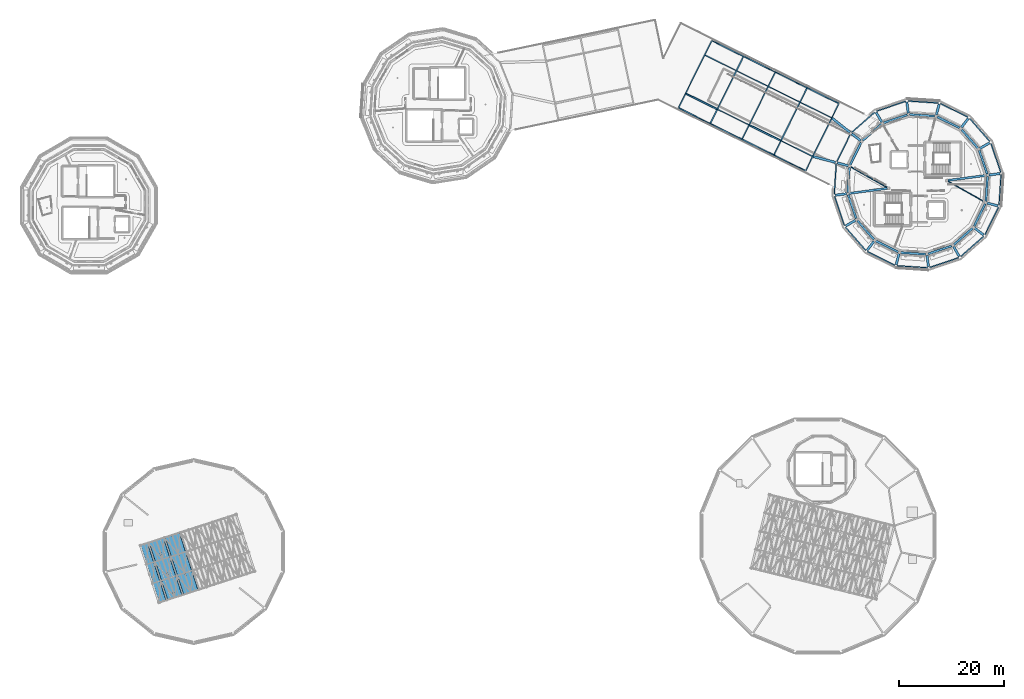
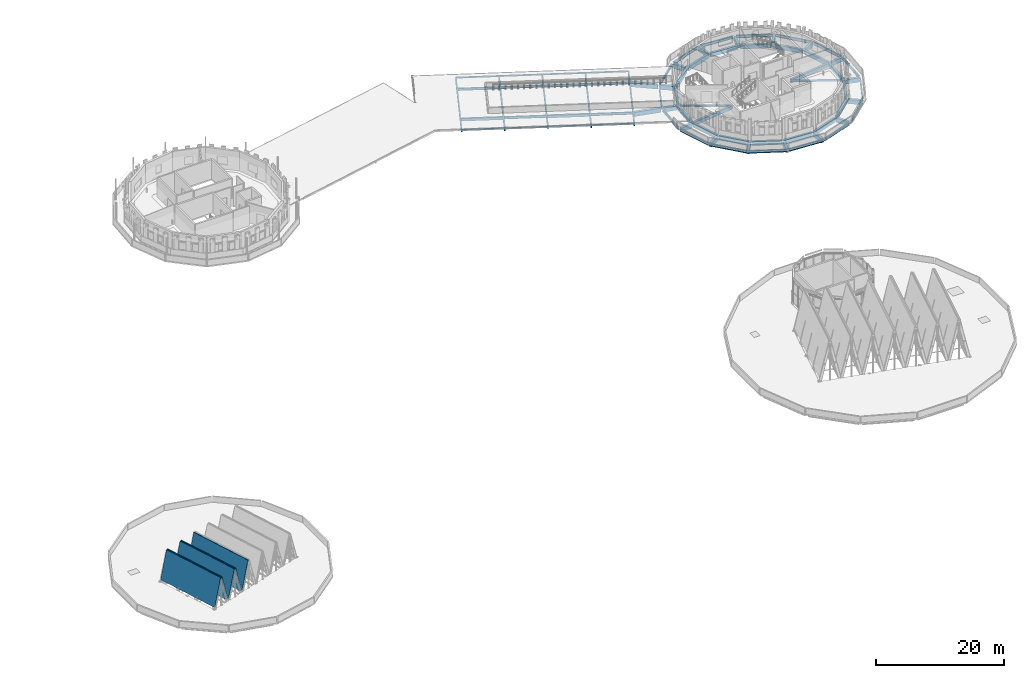
# One storey, part 17 of 51: 75 beams, 5 slabs.
"""IFC4 building model written with IfcOpenShell, lengths in metres."""

from ifc_helpers import new_model, si_unit, direction, frame, origin, origin_2d, place, context, subcontext, project, spatial, polyline, rectangle, hollow_rectangle, i_section, outline, extrude, material, layer, layer_set, material_profile, profile_set, type_object, element, save


model = new_model("IFC4")

# Units and contexts
model_context = context("Model", 3, precision=1e-05, world=origin(), true_north=direction((0.0, 1.0)))
body_context = subcontext(model_context, "Body", "Model", "MODEL_VIEW")
ifc_project = project(units=[si_unit("LENGTHUNIT", "METRE"), si_unit("AREAUNIT", "SQUARE_METRE"), si_unit("VOLUMEUNIT", "CUBIC_METRE"), si_unit("PLANEANGLEUNIT", "RADIAN"), si_unit("MASSUNIT", "GRAM", prefix="KILO")], contexts=[model_context])

# Site, building, storey
site_placement = place(None, origin())
site = spatial("IfcSite", under=ifc_project, at=site_placement, CompositionType="ELEMENT")
building_placement = place(site_placement, origin())
building = spatial("IfcBuilding", under=site, at=building_placement, Name="Wrenclough Park School", CompositionType="ELEMENT")
storey_placement = place(building_placement, frame((0.0, 0.0, 16.800048828125)))
storey = spatial("IfcBuildingStorey", under=building, at=storey_placement, Name="L04", CompositionType="ELEMENT", Elevation=16.800048828125)

# Beams
ifc_material_1 = material(Name="Concrete C32/40", Category="concrete")
ifc_material_profile_1 = material_profile(ifc_material_1, rectangle(XDim=0.300048828125, YDim=0.5, at=origin_2d()), Name="RC BEAM 300x500")
ifc_profile_set_1 = profile_set([ifc_material_profile_1], Name="Concrete C32/40")
beam_type_1 = type_object("IfcBeamType", Name="STR-BM-RC300", PredefinedType="BEAM", material=ifc_profile_set_1)
for number, where, z_axis, x_axis, name in (
    (1, (130.33837890625, 110.77880859375, -0.47509765625), (0.896252415809, -0.443544368871, 0.0), (0.443544368871, 0.896252415809, 0.0), "W45 L04 longitudinal edge beam R1"),
    (2, (142.46337890625, 104.77880859375, -0.47509765625), (0.896252415809, -0.443544368871, 0.0), (0.443544368871, 0.896252415809, 0.0), "W45 L04 longitudinal edge beam R3"),
):
    element("IfcBeam", number, at=place(storey_placement, frame(where, z_axis=z_axis, x_axis=x_axis)), inside=storey, type_object=beam_type_1, Name=name, PredefinedType="BEAM", context=body_context, shape_type="SweptSolid", body=[
        extrude(rectangle(XDim=0.300048828125, YDim=0.5, at=origin_2d()), origin(), (0.0, 0.0, 1.0), 6.553955078125),
    ])
ifc_material_2 = material(Name="Concrete C35/45", Category="concrete")
ifc_material_profile_2 = material_profile(ifc_material_2, rectangle(XDim=0.39990234375, YDim=0.64990234375, at=origin_2d()), Name="RC BEAM 400x650")
ifc_profile_set_2 = profile_set([ifc_material_profile_2], Name="Concrete C35/45")
beam_type_2 = type_object("IfcBeamType", Name="STR-BM-RC400A", PredefinedType="BEAM", material=ifc_profile_set_2)
for number, where, z_axis, x_axis, name in (
    (3, (187.596923828125, 95.224365234375, -0.590087890625), (-0.99144057881, -0.130558717399, 0.0), (0.130558717399, -0.99144057881, 0.0), "D5 L04 inner radial beam 1"),
    (4, (161.403076171875, 91.775634765625, -0.590087890625), (0.99144057881, 0.130558717399, 0.0), (-0.130558717399, 0.99144057881, 0.0), "D5 L04 inner radial beam 5"),
):
    element("IfcBeam", number, at=place(storey_placement, frame(where, z_axis=z_axis, x_axis=x_axis)), inside=storey, type_object=beam_type_2, Name=name, PredefinedType="BEAM", context=body_context, shape_type="SweptSolid", body=[
        extrude(rectangle(XDim=0.39990234375, YDim=0.64990234375, at=origin_2d()), origin(), (0.0, 0.0, 1.0), 7.393798828125),
    ])
ifc_material_profile_3 = material_profile(ifc_material_2, rectangle(XDim=0.39990234375, YDim=0.75, at=origin_2d()), Name="RC BEAM 400x750")
ifc_profile_set_3 = profile_set([ifc_material_profile_3], Name="Concrete C35/45")
beam_type_3 = type_object("IfcBeamType", Name="STR-BM-RC400B", PredefinedType="BEAM", material=ifc_profile_set_3)
for number, where, z_axis, x_axis, name in (
    (5, (187.7578125, 95.48291015625, -0.64013671875), (-0.321461154468, 0.946922766739, 0.0), (-0.946922766739, -0.321461154468, 0.0), "D5 L04 middle ring beam 1"),
    (6, (185.98974609375, 100.405517578125, -0.64013671875), (-0.659356078342, 0.751830806733, 0.0), (-0.751830806733, -0.659356078342, 0.0), "D5 L04 middle ring beam 2"),
    (7, (182.47265625, 104.276611328125, -0.64013671875), (-0.896871427047, 0.442291355722, 0.0), (-0.442291355722, -0.896871427047, 0.0), "D5 L04 middle ring beam 3"),
    (8, (177.74169921875, 106.50732421875, -0.64013671875), (-0.997859962399, 0.065387272782, 0.0), (-0.065387272782, -0.997859962399, 0.0), "D5 L04 middle ring beam 4"),
    (9, (172.51708984375, 106.7578125, -0.64013671875), (-0.946922766739, -0.321461154468, 0.0), (0.321461154468, -0.946922766739, 0.0), "D5 L04 middle ring beam 5"),
    (10, (167.594482421875, 104.98974609375, -0.64013671875), (-0.751830806733, -0.659356078342, 0.0), (0.659356078342, -0.751830806733, 0.0), "D5 L04 middle ring beam 6"),
    (11, (163.723388671875, 101.47265625, -0.64013671875), (-0.442291355722, -0.896871427047, 0.0), (0.896871427047, -0.442291355722, 0.0), "D5 L04 middle ring beam 7"),
    (12, (161.49267578125, 96.74169921875, -0.64013671875), (-0.065387272782, -0.997859962399, 0.0), (0.997859962399, -0.065387272782, 0.0), "D5 L04 middle ring beam 8"),
    (13, (161.2421875, 91.51708984375, -0.64013671875), (0.321461154468, -0.946922766739, 0.0), (0.946922766739, 0.321461154468, 0.0), "D5 L04 middle ring beam 9"),
    (14, (163.01025390625, 86.594482421875, -0.64013671875), (0.659356078342, -0.751830806733, 0.0), (0.751830806733, 0.659356078342, 0.0), "D5 L04 middle ring beam 10"),
    (15, (166.52734375, 82.723388671875, -0.64013671875), (0.896871427047, -0.442291355722, 0.0), (0.442291355722, 0.896871427047, 0.0), "D5 L04 middle ring beam 11"),
    (16, (171.25830078125, 80.49267578125, -0.64013671875), (0.997859962399, -0.065387272782, 0.0), (0.065387272782, 0.997859962399, 0.0), "D5 L04 middle ring beam 12"),
    (17, (176.48291015625, 80.2421875, -0.64013671875), (0.946922766739, 0.321461154468, 0.0), (-0.321461154468, 0.946922766739, 0.0), "D5 L04 middle ring beam 13"),
    (18, (181.405517578125, 82.01025390625, -0.64013671875), (0.751830806733, 0.659356078342, 0.0), (-0.659356078342, 0.751830806733, 0.0), "D5 L04 middle ring beam 14"),
    (19, (185.276611328125, 85.52734375, -0.64013671875), (0.442291355722, 0.896871427047, 0.0), (-0.896871427047, 0.442291355722, 0.0), "D5 L04 middle ring beam 15"),
    (20, (187.50732421875, 90.25830078125, -0.64013671875), (0.065387272782, 0.997859962399, 0.0), (-0.997859962399, 0.065387272782, 0.0), "D5 L04 middle ring beam 16"),
):
    element("IfcBeam", number, at=place(storey_placement, frame(where, z_axis=z_axis, x_axis=x_axis)), inside=storey, type_object=beam_type_3, Name=name, PredefinedType="BEAM", context=body_context, shape_type="SweptSolid", body=[
        extrude(rectangle(XDim=0.39990234375, YDim=0.75, at=origin_2d()), origin(), (0.0, 0.0, 1.0), 4.76806640625),
    ])
ifc_material_3 = material(Name="Concrete C40/50", Category="concrete")
ifc_material_profile_4 = material_profile(ifc_material_3, rectangle(XDim=0.449951171875, YDim=0.800048828125, at=origin_2d()), Name="RC BEAM 450x800")
ifc_profile_set_4 = profile_set([ifc_material_profile_4], Name="Concrete C40/50")
beam_type_4 = type_object("IfcBeamType", Name="STR-BM-RC450", PredefinedType="BEAM", material=ifc_profile_set_4)
for number, where, z_axis, x_axis, name in (
    (21, (190.198486328125, 95.566650390625, -0.6650390625), (-0.991449256393, -0.13049280439, 0.0), (0.13049280439, -0.991449256393, 0.0), "D5 L04 radial girder 1"),
    (22, (188.212646484375, 101.4169921875, -0.6650390625), (-0.866041483742, -0.499972147661, 0.0), (0.499972147661, -0.866041483742, 0.0), "D5 L04 radial girder 2"),
    (23, (184.13916015625, 106.06201171875, -0.6650390625), (-0.608763785225, -0.793351532297, 0.0), (0.793351532297, -0.608763785225, 0.0), "D5 L04 radial girder 3"),
    (24, (178.59814453125, 108.79443359375, -0.6650390625), (-0.258817664066, -0.965926196336, 0.0), (0.965926196336, -0.258817664066, 0.0), "D5 L04 radial girder 4"),
    (25, (172.433349609375, 109.198486328125, -0.6650390625), (0.13049280439, -0.991449256393, 0.0), (0.991449256393, 0.13049280439, 0.0), "D5 L04 radial girder 5"),
    (26, (166.5830078125, 107.212646484375, -0.6650390625), (0.499972147661, -0.866041483742, 0.0), (0.866041483742, 0.499972147661, 0.0), "D5 L04 radial girder 6"),
    (27, (161.93798828125, 103.13916015625, -0.6650390625), (0.793351532297, -0.608763785225, 0.0), (0.608763785225, 0.793351532297, 0.0), "D5 L04 radial girder 7"),
    (28, (159.20556640625, 97.59814453125, -0.6650390625), (0.965926196336, -0.258817664066, 0.0), (0.258817664066, 0.965926196336, 0.0), "D5 L04 radial girder 8"),
    (29, (158.801513671875, 91.433349609375, -0.6650390625), (0.991449256393, 0.13049280439, 0.0), (-0.13049280439, 0.991449256393, 0.0), "D5 L04 radial girder 9"),
    (30, (160.787353515625, 85.5830078125, -0.6650390625), (0.866041483742, 0.499972147661, 0.0), (-0.499972147661, 0.866041483742, 0.0), "D5 L04 radial girder 10"),
    (31, (164.86083984375, 80.93798828125, -0.6650390625), (0.608763785225, 0.793351532297, 0.0), (-0.793351532297, 0.608763785225, 0.0), "D5 L04 radial girder 11"),
    (32, (170.40185546875, 78.20556640625, -0.6650390625), (0.258817664066, 0.965926196336, 0.0), (-0.965926196336, 0.258817664066, 0.0), "D5 L04 radial girder 12"),
    (33, (176.566650390625, 77.801513671875, -0.6650390625), (-0.13049280439, 0.991449256393, 0.0), (-0.991449256393, -0.13049280439, 0.0), "D5 L04 radial girder 13"),
    (34, (182.4169921875, 79.787353515625, -0.6650390625), (-0.499972147661, 0.866041483742, 0.0), (-0.866041483742, -0.499972147661, 0.0), "D5 L04 radial girder 14"),
    (35, (187.06201171875, 83.86083984375, -0.6650390625), (-0.793351532297, 0.608763785225, 0.0), (-0.608763785225, -0.793351532297, 0.0), "D5 L04 radial girder 15"),
    (36, (189.79443359375, 89.40185546875, -0.6650390625), (-0.965926196336, 0.258817664066, 0.0), (-0.258817664066, -0.965926196336, 0.0), "D5 L04 radial girder 16"),
):
    element("IfcBeam", number, at=place(storey_placement, frame(where, z_axis=z_axis, x_axis=x_axis)), inside=storey, type_object=beam_type_4, Name=name, PredefinedType="BEAM", context=body_context, shape_type="SweptSolid", body=[
        extrude(rectangle(XDim=0.449951171875, YDim=0.800048828125, at=origin_2d()), origin(), (0.0, 0.0, 1.0), 2.14404296875),
    ])
beam_1_placement = place(storey_placement, frame((158.213134765625, 106.109130859375, -0.630126953125), z_axis=(0.781341439555, -0.62410380133, 0.0), x_axis=(0.62410380133, 0.781341439555, 0.0)))
element("IfcBeam", 37, at=beam_1_placement, inside=storey, type_object=beam_type_4, Name="W45 L04 drum junction tie beam 52", PredefinedType="BEAM", context=body_context, shape_type="SweptSolid", body=[
    extrude(rectangle(XDim=0.449951171875, YDim=0.800048828125, at=origin_2d()), origin(), (0.0, 0.0, 1.0), 4.33203125),
])
beam_2_placement = place(storey_placement, frame((154.595947265625, 98.798828125, -0.630126953125), z_axis=(0.967797793324, -0.251728884391, 0.0), x_axis=(0.251728884391, 0.967797793324, 0.0)))
element("IfcBeam", 38, at=beam_2_placement, inside=storey, type_object=beam_type_4, Name="W45 L04 drum junction tie beam 56", PredefinedType="BEAM", context=body_context, shape_type="SweptSolid", body=[
    extrude(rectangle(XDim=0.449951171875, YDim=0.800048828125, at=origin_2d()), origin(), (0.0, 0.0, 1.0), 4.331298828125),
])
ifc_material_4 = material(Name="Structural steel S355", Category="steel")
ifc_material_profile_5 = material_profile(ifc_material_4, hollow_rectangle(XDim=0.14990234375, YDim=0.25, WallThickness=0.010009765625, InnerFilletRadius=0.010009765625, OuterFilletRadius=0.014892578125, at=origin_2d()), Name="RHS 250x150x10.0")
ifc_profile_set_5 = profile_set([ifc_material_profile_5], Name="Structural steel S355")
beam_type_5 = type_object("IfcBeamType", Name="STR-BM-RHS250", PredefinedType="SPANDREL", material=ifc_profile_set_5)
for number, where, z_axis, x_axis, name in (
    (39, (135.233642578125, 120.908203125, -0.35498046875), (0.896267529062, -0.443513828814, 0.0), (0.443513828814, 0.896267529062, 0.0), "W45 overhanging eave fascia beam L1"),
    (40, (141.296142578125, 117.908203125, -0.35498046875), (0.896267529062, -0.443513828814, 0.0), (0.443513828814, 0.896267529062, 0.0), "W45 overhanging eave fascia beam L2"),
    (41, (147.358642578125, 114.908203125, -0.35498046875), (0.896267529062, -0.443513828814, 0.0), (0.443513828814, 0.896267529062, 0.0), "W45 overhanging eave fascia beam L3"),
    (42, (153.421142578125, 111.908203125, -0.35498046875), (0.896267529062, -0.443513828814, 0.0), (0.443513828814, 0.896267529062, 0.0), "W45 overhanging eave fascia beam L4"),
    (43, (128.891357421875, 108.091796875, -0.35498046875), (0.896267529062, -0.443513828814, 0.0), (0.443513828814, 0.896267529062, 0.0), "W45 overhanging eave fascia beam R1"),
    (44, (134.953857421875, 105.091796875, -0.35498046875), (0.896267529062, -0.443513828814, 0.0), (0.443513828814, 0.896267529062, 0.0), "W45 overhanging eave fascia beam R2"),
    (45, (141.016357421875, 102.091796875, -0.35498046875), (0.896267529062, -0.443513828814, 0.0), (0.443513828814, 0.896267529062, 0.0), "W45 overhanging eave fascia beam R3"),
    (46, (147.078857421875, 99.091796875, -0.35498046875), (0.896267529062, -0.443513828814, 0.0), (0.443513828814, 0.896267529062, 0.0), "W45 overhanging eave fascia beam R4"),
):
    element("IfcBeam", number, at=place(storey_placement, frame(where, z_axis=z_axis, x_axis=x_axis)), inside=storey, type_object=beam_type_5, Name=name, PredefinedType="SPANDREL", context=body_context, shape_type="SweptSolid", body=[
        extrude(hollow_rectangle(XDim=0.14990234375, YDim=0.25, WallThickness=0.010009765625, InnerFilletRadius=0.010009765625, OuterFilletRadius=0.014892578125, at=origin_2d()), origin(), (0.0, 0.0, 1.0), 6.76416015625),
    ])
ifc_material_profile_6 = material_profile(ifc_material_4, i_section(OverallWidth=0.17138671875, OverallDepth=0.35498046875, WebThickness=0.00732421875, FlangeThickness=0.011474609375, FilletRadius=0.01025390625, at=origin_2d()), Name="UKB 356x171x51")
ifc_profile_set_6 = profile_set([ifc_material_profile_6], Name="Structural steel S355")
beam_type_6 = type_object("IfcBeamType", Name="STR-BM-UKB356", PredefinedType="JOIST", material=ifc_profile_set_6)
for number, where, z_axis, x_axis, name in (
    (47, (161.71728515625, 96.86279296875, -0.442626953125), (0.870211467509, -0.492678395929, 0.0), (0.492678395929, 0.870211467509, 0.0), "D5 L04 secondary radial floor beam 7"),
    (48, (187.28271484375, 90.13720703125, -0.442626953125), (-0.870211467509, 0.492678395929, 0.0), (-0.492678395929, -0.870211467509, 0.0), "D5 L04 secondary radial floor beam 15"),
):
    element("IfcBeam", number, at=place(storey_placement, frame(where, z_axis=z_axis, x_axis=x_axis)), inside=storey, type_object=beam_type_6, Name=name, PredefinedType="JOIST", context=body_context, shape_type="SweptSolid", body=[
        extrude(i_section(OverallWidth=0.17138671875, OverallDepth=0.35498046875, WebThickness=0.00732421875, FlangeThickness=0.011474609375, FilletRadius=0.01025390625, at=origin_2d()), origin(), (0.0, 0.0, 1.0), 8.093017578125),
    ])
ifc_material_profile_7 = material_profile(ifc_material_4, i_section(OverallWidth=0.177978515625, OverallDepth=0.406494140625, WebThickness=0.0078125, FlangeThickness=0.0126953125, FilletRadius=0.01025390625, at=origin_2d()), Name="UKB 406x178x60")
ifc_profile_set_7 = profile_set([ifc_material_profile_7], Name="Structural steel S355")
beam_type_7 = type_object("IfcBeamType", Name="STR-BM-UKB406", PredefinedType="BEAM", material=ifc_profile_set_7)
for number, where, z_axis, x_axis, name in (
    (49, (140.03759765625, 115.128173828125, -0.42822265625), (0.896252415809, -0.443544368871, 0.0), (0.443544368871, 0.896252415809, 0.0), "W45 L04 longitudinal edge beam L2"),
    (50, (152.16259765625, 109.128173828125, -0.42822265625), (0.896252415809, -0.443544368871, 0.0), (0.443544368871, 0.896252415809, 0.0), "W45 L04 longitudinal edge beam L4"),
):
    element("IfcBeam", number, at=place(storey_placement, frame(where, z_axis=z_axis, x_axis=x_axis)), inside=storey, type_object=beam_type_7, Name=name, PredefinedType="BEAM", context=body_context, shape_type="SweptSolid", body=[
        extrude(i_section(OverallWidth=0.177978515625, OverallDepth=0.406494140625, WebThickness=0.0078125, FlangeThickness=0.0126953125, FilletRadius=0.01025390625, at=origin_2d()), origin(), (0.0, 0.0, 1.0), 6.553955078125),
    ])
ifc_material_profile_8 = material_profile(ifc_material_4, i_section(OverallWidth=0.18994140625, OverallDepth=0.453369140625, WebThickness=0.008544921875, FlangeThickness=0.0126953125, FilletRadius=0.01025390625, at=origin_2d()), Name="UKB 457x191x67")
ifc_profile_set_8 = profile_set([ifc_material_profile_8], Name="Structural steel S355")
beam_type_8 = type_object("IfcBeamType", Name="STR-BM-UKB457A", PredefinedType="BEAM", material=ifc_profile_set_8)
for number, where, z_axis, x_axis, name in (
    (51, (133.97509765625, 118.128173828125, -0.45166015625), (0.896252415809, -0.443544368871, 0.0), (0.443544368871, 0.896252415809, 0.0), "W45 L04 longitudinal edge beam L1"),
    (52, (136.40087890625, 107.77880859375, -0.45166015625), (0.896252415809, -0.443544368871, 0.0), (0.443544368871, 0.896252415809, 0.0), "W45 L04 longitudinal edge beam R2"),
    (53, (146.10009765625, 112.128173828125, -0.45166015625), (0.896252415809, -0.443544368871, 0.0), (0.443544368871, 0.896252415809, 0.0), "W45 L04 longitudinal edge beam L3"),
    (54, (148.52587890625, 101.77880859375, -0.45166015625), (0.896252415809, -0.443544368871, 0.0), (0.443544368871, 0.896252415809, 0.0), "W45 L04 longitudinal edge beam R4"),
):
    element("IfcBeam", number, at=place(storey_placement, frame(where, z_axis=z_axis, x_axis=x_axis)), inside=storey, type_object=beam_type_8, Name=name, PredefinedType="BEAM", context=body_context, shape_type="SweptSolid", body=[
        extrude(i_section(OverallWidth=0.18994140625, OverallDepth=0.453369140625, WebThickness=0.008544921875, FlangeThickness=0.0126953125, FilletRadius=0.01025390625, at=origin_2d()), origin(), (0.0, 0.0, 1.0), 6.553955078125),
    ])
ifc_material_profile_9 = material_profile(ifc_material_4, i_section(OverallWidth=0.209228515625, OverallDepth=0.533203125, WebThickness=0.010009765625, FlangeThickness=0.015625, FilletRadius=0.0126953125, at=origin_2d()), Name="UKB 533x210x92")
ifc_profile_set_9 = profile_set([ifc_material_profile_9], Name="Structural steel S355")
beam_type_9 = type_object("IfcBeamType", Name="STR-BM-UKB533A", PredefinedType="BEAM", material=ifc_profile_set_9)
for number, where, z_axis, x_axis, name in (
    (55, (128.891357421875, 108.091796875, -0.49658203125), (0.443522029309, 0.896263471038, 0.0), (-0.896263471038, 0.443522029309, 0.0), "W45 continuous overhanging eave roof girder 2.1"),
    (56, (141.016357421875, 102.091796875, -0.49658203125), (0.443522029309, 0.896263471038, 0.0), (-0.896263471038, 0.443522029309, 0.0), "W45 continuous overhanging eave roof girder 2.3"),
    (57, (153.141357421875, 96.091796875, -0.49658203125), (0.443522029309, 0.896263471038, 0.0), (-0.896263471038, 0.443522029309, 0.0), "W45 continuous overhanging eave roof girder 2.5"),
):
    element("IfcBeam", number, at=place(storey_placement, frame(where, z_axis=z_axis, x_axis=x_axis)), inside=storey, type_object=beam_type_9, Name=name, PredefinedType="BEAM", context=body_context, shape_type="SweptSolid", body=[
        extrude(i_section(OverallWidth=0.209228515625, OverallDepth=0.533203125, WebThickness=0.010009765625, FlangeThickness=0.015625, FilletRadius=0.0126953125, at=origin_2d()), origin(), (0.0, 0.0, 1.0), 14.2998046875),
    ])
ifc_material_profile_10 = material_profile(ifc_material_4, i_section(OverallWidth=0.210693359375, OverallDepth=0.53955078125, WebThickness=0.01171875, FlangeThickness=0.018798828125, FilletRadius=0.0126953125, at=origin_2d()), Name="UKB 533x210x109")
ifc_profile_set_10 = profile_set([ifc_material_profile_10], Name="Structural steel S355")
beam_type_10 = type_object("IfcBeamType", Name="STR-BM-UKB533B", PredefinedType="SPANDREL", material=ifc_profile_set_10)
beam_3_placement = place(storey_placement, frame((190.34326171875, 95.79931640625, -0.49462890625), z_axis=(-0.321448548845, 0.946927045999, 0.0), x_axis=(-0.946927045999, -0.321448548845, 0.0)))
element("IfcBeam", 58, at=beam_3_placement, inside=storey, type_object=beam_type_10, Name="D5 L04 outer ring spandrel beam 1", PredefinedType="SPANDREL", context=body_context, shape_type="SweptSolid", body=[
    extrude(i_section(OverallWidth=0.210693359375, OverallDepth=0.53955078125, WebThickness=0.01171875, FlangeThickness=0.018798828125, FilletRadius=0.0126953125, at=origin_2d()), origin(), (0.0, 0.0, 1.0), 5.830810546875),
])
beam_4_placement = place(storey_placement, frame((188.25732421875, 101.6875, -0.49462890625), z_axis=(-0.659363912903, 0.751823935746, 0.0), x_axis=(-0.751823935746, -0.659363912903, 0.0)))
element("IfcBeam", 59, at=beam_4_placement, inside=storey, type_object=beam_type_10, Name="D5 L04 outer ring spandrel beam 2", PredefinedType="SPANDREL", context=body_context, shape_type="SweptSolid", body=[
    extrude(i_section(OverallWidth=0.210693359375, OverallDepth=0.53955078125, WebThickness=0.01171875, FlangeThickness=0.018798828125, FilletRadius=0.0126953125, at=origin_2d()), origin(), (0.0, 0.0, 1.0), 5.830322265625),
])
beam_5_placement = place(storey_placement, frame((184.076904296875, 106.328857421875, -0.49462890625), z_axis=(-0.896867457546, 0.442299404923, 0.0), x_axis=(-0.442299404923, -0.896867457546, 0.0)))
element("IfcBeam", 60, at=beam_5_placement, inside=storey, type_object=beam_type_10, Name="D5 L04 outer ring spandrel beam 3", PredefinedType="SPANDREL", context=body_context, shape_type="SweptSolid", body=[
    extrude(i_section(OverallWidth=0.210693359375, OverallDepth=0.53955078125, WebThickness=0.01171875, FlangeThickness=0.018798828125, FilletRadius=0.0126953125, at=origin_2d()), origin(), (0.0, 0.0, 1.0), 5.83056640625),
])
beam_6_placement = place(storey_placement, frame((178.4384765625, 109.01708984375, -0.49462890625), z_axis=(-0.997855918045, 0.065448963487, 0.0), x_axis=(-0.065448963487, -0.997855918045, 0.0)))
element("IfcBeam", 61, at=beam_6_placement, inside=storey, type_object=beam_type_10, Name="D5 L04 outer ring spandrel beam 4", PredefinedType="SPANDREL", context=body_context, shape_type="SweptSolid", body=[
    extrude(i_section(OverallWidth=0.210693359375, OverallDepth=0.53955078125, WebThickness=0.01171875, FlangeThickness=0.018798828125, FilletRadius=0.0126953125, at=origin_2d()), origin(), (0.0, 0.0, 1.0), 5.830322265625),
])
beam_7_placement = place(storey_placement, frame((172.20068359375, 109.34326171875, -0.49462890625), z_axis=(-0.946927045999, -0.321448548845, 0.0), x_axis=(0.321448548845, -0.946927045999, 0.0)))
element("IfcBeam", 62, at=beam_7_placement, inside=storey, type_object=beam_type_10, Name="D5 L04 outer ring spandrel beam 5", PredefinedType="SPANDREL", context=body_context, shape_type="SweptSolid", body=[
    extrude(i_section(OverallWidth=0.210693359375, OverallDepth=0.53955078125, WebThickness=0.01171875, FlangeThickness=0.018798828125, FilletRadius=0.0126953125, at=origin_2d()), origin(), (0.0, 0.0, 1.0), 5.830810546875),
])
beam_8_placement = place(storey_placement, frame((166.3125, 107.25732421875, -0.499755859375), z_axis=(-0.751823935746, -0.659363912903, 0.0), x_axis=(0.659363912903, -0.751823935746, 0.0)))
element("IfcBeam", 63, at=beam_8_placement, inside=storey, type_object=beam_type_10, Name="D5 L04 outer ring spandrel beam 6", PredefinedType="SPANDREL", context=body_context, shape_type="SweptSolid", body=[
    extrude(i_section(OverallWidth=0.210693359375, OverallDepth=0.53955078125, WebThickness=0.01171875, FlangeThickness=0.018798828125, FilletRadius=0.0126953125, at=origin_2d()), origin(), (0.0, 0.0, 1.0), 5.830322265625),
])
beam_9_placement = place(storey_placement, frame((161.671142578125, 103.076904296875, -0.499755859375), z_axis=(-0.442299404923, -0.896867457546, 0.0), x_axis=(0.896867457546, -0.442299404923, 0.0)))
element("IfcBeam", 64, at=beam_9_placement, inside=storey, type_object=beam_type_10, Name="D5 L04 outer ring spandrel beam 7", PredefinedType="SPANDREL", context=body_context, shape_type="SweptSolid", body=[
    extrude(i_section(OverallWidth=0.210693359375, OverallDepth=0.53955078125, WebThickness=0.01171875, FlangeThickness=0.018798828125, FilletRadius=0.0126953125, at=origin_2d()), origin(), (0.0, 0.0, 1.0), 5.83056640625),
])
beam_10_placement = place(storey_placement, frame((158.98291015625, 97.4384765625, -0.499755859375), z_axis=(-0.065448963487, -0.997855918045, 0.0), x_axis=(0.997855918045, -0.065448963487, 0.0)))
element("IfcBeam", 65, at=beam_10_placement, inside=storey, type_object=beam_type_10, Name="D5 L04 outer ring spandrel beam 8", PredefinedType="SPANDREL", context=body_context, shape_type="SweptSolid", body=[
    extrude(i_section(OverallWidth=0.210693359375, OverallDepth=0.53955078125, WebThickness=0.01171875, FlangeThickness=0.018798828125, FilletRadius=0.0126953125, at=origin_2d()), origin(), (0.0, 0.0, 1.0), 5.830322265625),
])
beam_11_placement = place(storey_placement, frame((158.65673828125, 91.20068359375, -0.49462890625), z_axis=(0.321448548845, -0.946927045999, 0.0), x_axis=(0.946927045999, 0.321448548845, 0.0)))
element("IfcBeam", 66, at=beam_11_placement, inside=storey, type_object=beam_type_10, Name="D5 L04 outer ring spandrel beam 9", PredefinedType="SPANDREL", context=body_context, shape_type="SweptSolid", body=[
    extrude(i_section(OverallWidth=0.210693359375, OverallDepth=0.53955078125, WebThickness=0.01171875, FlangeThickness=0.018798828125, FilletRadius=0.0126953125, at=origin_2d()), origin(), (0.0, 0.0, 1.0), 5.830810546875),
])
beam_12_placement = place(storey_placement, frame((160.74267578125, 85.3125, -0.49462890625), z_axis=(0.659363912903, -0.751823935746, 0.0), x_axis=(0.751823935746, 0.659363912903, 0.0)))
element("IfcBeam", 67, at=beam_12_placement, inside=storey, type_object=beam_type_10, Name="D5 L04 outer ring spandrel beam 10", PredefinedType="SPANDREL", context=body_context, shape_type="SweptSolid", body=[
    extrude(i_section(OverallWidth=0.210693359375, OverallDepth=0.53955078125, WebThickness=0.01171875, FlangeThickness=0.018798828125, FilletRadius=0.0126953125, at=origin_2d()), origin(), (0.0, 0.0, 1.0), 5.830322265625),
])
beam_13_placement = place(storey_placement, frame((164.923095703125, 80.671142578125, -0.49462890625), z_axis=(0.896867457546, -0.442299404923, 0.0), x_axis=(0.442299404923, 0.896867457546, 0.0)))
element("IfcBeam", 68, at=beam_13_placement, inside=storey, type_object=beam_type_10, Name="D5 L04 outer ring spandrel beam 11", PredefinedType="SPANDREL", context=body_context, shape_type="SweptSolid", body=[
    extrude(i_section(OverallWidth=0.210693359375, OverallDepth=0.53955078125, WebThickness=0.01171875, FlangeThickness=0.018798828125, FilletRadius=0.0126953125, at=origin_2d()), origin(), (0.0, 0.0, 1.0), 5.83056640625),
])
beam_14_placement = place(storey_placement, frame((170.5615234375, 77.98291015625, -0.49462890625), z_axis=(0.997855918045, -0.065448963487, 0.0), x_axis=(0.065448963487, 0.997855918045, 0.0)))
element("IfcBeam", 69, at=beam_14_placement, inside=storey, type_object=beam_type_10, Name="D5 L04 outer ring spandrel beam 12", PredefinedType="SPANDREL", context=body_context, shape_type="SweptSolid", body=[
    extrude(i_section(OverallWidth=0.210693359375, OverallDepth=0.53955078125, WebThickness=0.01171875, FlangeThickness=0.018798828125, FilletRadius=0.0126953125, at=origin_2d()), origin(), (0.0, 0.0, 1.0), 5.830322265625),
])
beam_15_placement = place(storey_placement, frame((176.79931640625, 77.65673828125, -0.49462890625), z_axis=(0.946927045999, 0.321448548845, 0.0), x_axis=(-0.321448548845, 0.946927045999, 0.0)))
element("IfcBeam", 70, at=beam_15_placement, inside=storey, type_object=beam_type_10, Name="D5 L04 outer ring spandrel beam 13", PredefinedType="SPANDREL", context=body_context, shape_type="SweptSolid", body=[
    extrude(i_section(OverallWidth=0.210693359375, OverallDepth=0.53955078125, WebThickness=0.01171875, FlangeThickness=0.018798828125, FilletRadius=0.0126953125, at=origin_2d()), origin(), (0.0, 0.0, 1.0), 5.830810546875),
])
beam_16_placement = place(storey_placement, frame((182.6875, 79.74267578125, -0.49462890625), z_axis=(0.751823935746, 0.659363912903, 0.0), x_axis=(-0.659363912903, 0.751823935746, 0.0)))
element("IfcBeam", 71, at=beam_16_placement, inside=storey, type_object=beam_type_10, Name="D5 L04 outer ring spandrel beam 14", PredefinedType="SPANDREL", context=body_context, shape_type="SweptSolid", body=[
    extrude(i_section(OverallWidth=0.210693359375, OverallDepth=0.53955078125, WebThickness=0.01171875, FlangeThickness=0.018798828125, FilletRadius=0.0126953125, at=origin_2d()), origin(), (0.0, 0.0, 1.0), 5.830322265625),
])
beam_17_placement = place(storey_placement, frame((187.328857421875, 83.923095703125, -0.49462890625), z_axis=(0.442299404923, 0.896867457546, 0.0), x_axis=(-0.896867457546, 0.442299404923, 0.0)))
element("IfcBeam", 72, at=beam_17_placement, inside=storey, type_object=beam_type_10, Name="D5 L04 outer ring spandrel beam 15", PredefinedType="SPANDREL", context=body_context, shape_type="SweptSolid", body=[
    extrude(i_section(OverallWidth=0.210693359375, OverallDepth=0.53955078125, WebThickness=0.01171875, FlangeThickness=0.018798828125, FilletRadius=0.0126953125, at=origin_2d()), origin(), (0.0, 0.0, 1.0), 5.83056640625),
])
beam_18_placement = place(storey_placement, frame((190.01708984375, 89.5615234375, -0.49462890625), z_axis=(0.065448963487, 0.997855918045, 0.0), x_axis=(-0.997855918045, 0.065448963487, 0.0)))
element("IfcBeam", 73, at=beam_18_placement, inside=storey, type_object=beam_type_10, Name="D5 L04 outer ring spandrel beam 16", PredefinedType="SPANDREL", context=body_context, shape_type="SweptSolid", body=[
    extrude(i_section(OverallWidth=0.210693359375, OverallDepth=0.53955078125, WebThickness=0.01171875, FlangeThickness=0.018798828125, FilletRadius=0.0126953125, at=origin_2d()), origin(), (0.0, 0.0, 1.0), 5.830322265625),
])
ifc_material_profile_11 = material_profile(ifc_material_4, i_section(OverallWidth=0.22900390625, OverallDepth=0.6123046875, WebThickness=0.011962890625, FlangeThickness=0.01953125, FilletRadius=0.0126953125, at=origin_2d()), Name="UKB 610x229x125")
ifc_profile_set_11 = profile_set([ifc_material_profile_11], Name="Structural steel S355")
beam_type_11 = type_object("IfcBeamType", Name="STR-BM-UKB610", PredefinedType="BEAM", material=ifc_profile_set_11)
for number, where, z_axis, x_axis, name in (
    (74, (134.953857421875, 105.091796875, -0.5361328125), (0.443522029309, 0.896263471038, 0.0), (-0.896263471038, 0.443522029309, 0.0), "W45 continuous overhanging eave roof girder 2.2"),
    (75, (147.078857421875, 99.091796875, -0.5361328125), (0.443522029309, 0.896263471038, 0.0), (-0.896263471038, 0.443522029309, 0.0), "W45 continuous overhanging eave roof girder 2.4"),
):
    element("IfcBeam", number, at=place(storey_placement, frame(where, z_axis=z_axis, x_axis=x_axis)), inside=storey, type_object=beam_type_11, Name=name, PredefinedType="BEAM", context=body_context, shape_type="SweptSolid", body=[
        extrude(i_section(OverallWidth=0.22900390625, OverallDepth=0.6123046875, WebThickness=0.011962890625, FlangeThickness=0.01953125, FilletRadius=0.0126953125, at=origin_2d()), origin(), (0.0, 0.0, 1.0), 14.2998046875),
    ])

# Slabs
ifc_layer = layer(ifc_material_1, 0.1650390625)
ifc_layer_set = layer_set([ifc_layer], Name="Concrete C32/40")
slab_type = type_object("IfcSlabType", Name="STR-SL-RF165", PredefinedType="ROOF", material=ifc_layer_set)
for number, where, z_axis, x_axis, name in (
    (76, (29.9072265625, 13.837158203125, 0.300048828125), (-0.918944951472, -0.29857589013, 0.257667642512), (0.245055519331, 0.079626669321, 0.966233608388), "D2 folded-plate roof bay 1 west facet"),
    (77, (31.519775390625, 14.361083984375, 5.34228515625), (0.918944951472, 0.29857589013, 0.257667642512), (0.245055519331, 0.079626669321, -0.966233608388), "D2 folded-plate roof bay 1 east facet"),
    (78, (32.95068359375, 14.825927734375, 0.300048828125), (-0.918944951472, -0.29857589013, 0.257667642512), (0.245055519331, 0.079626669321, 0.966233608388), "D2 folded-plate roof bay 2 west facet"),
    (79, (34.56298828125, 15.349853515625, 5.34228515625), (0.918944951472, 0.29857589013, 0.257667642512), (0.245055519331, 0.079626669321, -0.966233608388), "D2 folded-plate roof bay 2 east facet"),
):
    element("IfcSlab", number, at=place(storey_placement, frame(where, z_axis=z_axis, x_axis=x_axis)), inside=storey, type_object=slab_type, Name=name, PredefinedType="ROOF", context=body_context, shape_type="SweptSolid", body=[
        extrude(outline(polyline([(0.0, 0.0), (5.218444364129628, 3.710343122152737e-17), (5.218501656471431, 11.399969493321462), (5.729234180362752e-05, 11.399969493321464), (0.0, 0.0)])), origin(), (0.0, 0.0, -1.0), 0.1650390625),
    ])
slab_placement = place(storey_placement, frame((35.994140625, 15.814697265625, 0.300048828125), z_axis=(-0.918940846051, -0.298588525299, 0.257667642554), x_axis=(0.245055519331, 0.079626669321, 0.966233608388)))
element("IfcSlab", 80, at=slab_placement, inside=storey, type_object=slab_type, Name="D2 folded-plate roof bay 3 west facet", PredefinedType="ROOF", context=body_context, shape_type="SweptSolid", body=[
    extrude(outline(polyline([(0.0, 0.0), (5.218444364129628, 1.3311969799048584e-17), (5.218461268568596, 11.40027712851949), (1.6904438969289615e-05, 11.40027712851949), (0.0, 0.0)])), origin(), (0.0, 0.0, -1.0), 0.1650390625),
])

save(model, "model.ifc")
